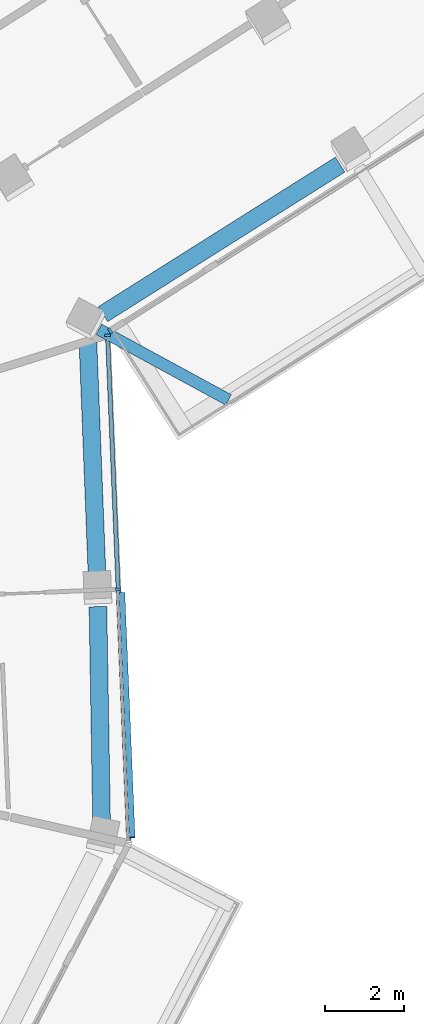
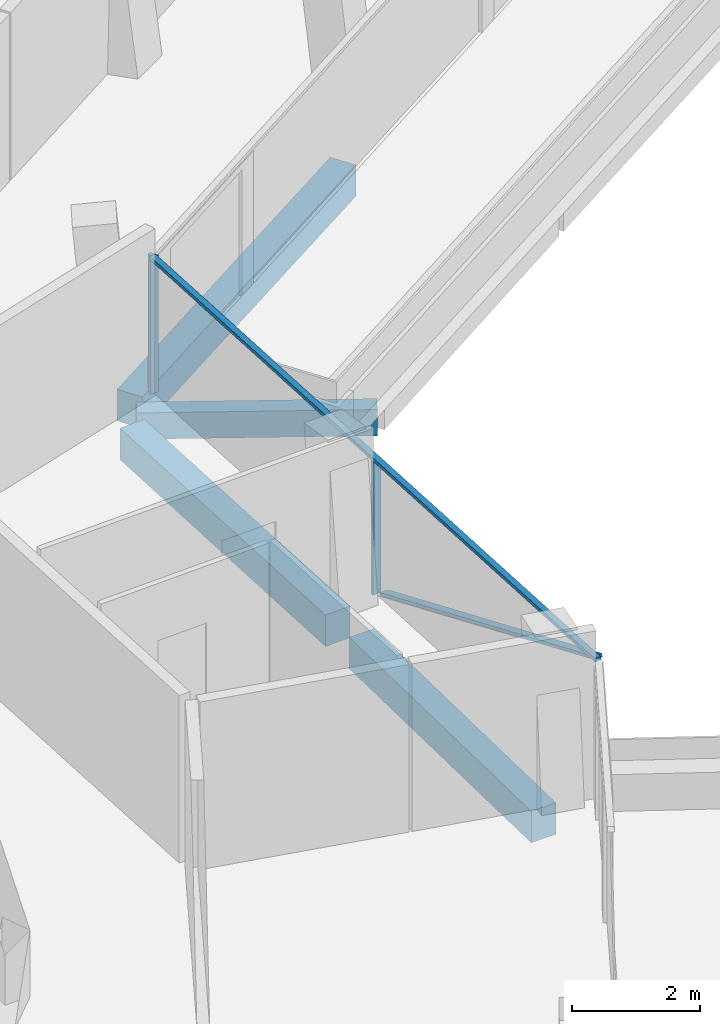
# One storey, part 7 of 23: 5 members, 4 beams, 2 elements without a shape of their own.
"""IFC4 building model written with IfcOpenShell, lengths in metres."""

from ifc_helpers import new_model, si_unit, direction, frame, origin, origin_2d, place, context, subcontext, project, spatial, rectangle, extrude, material, layer, layer_set, material_profile, profile_set, type_object, element, aggregate, save


model = new_model("IFC4")

# Units and contexts
model_context = context("Model", 3, precision=1e-05, world=origin(), true_north=direction((0.0, 1.0)))
body_context = subcontext(model_context, "Body", "Model", "MODEL_VIEW")
ifc_project = project(units=[si_unit("LENGTHUNIT", "METRE"), si_unit("AREAUNIT", "SQUARE_METRE"), si_unit("VOLUMEUNIT", "CUBIC_METRE"), si_unit("PLANEANGLEUNIT", "RADIAN"), si_unit("MASSUNIT", "GRAM", prefix="KILO")], contexts=[model_context])

# Site, building, storey
site_placement = place(None, origin())
site = spatial("IfcSite", under=ifc_project, at=site_placement, CompositionType="ELEMENT")
building_placement = place(site_placement, origin())
building = spatial("IfcBuilding", under=site, at=building_placement, Name="Verdalira Terraces Hotel", CompositionType="ELEMENT")
storey_placement = place(building_placement, frame((0.0, 0.0, 288.0)))
storey = spatial("IfcBuildingStorey", under=building, at=storey_placement, Name="L71", CompositionType="ELEMENT", Elevation=288.0)

# Beam
ifc_material_1 = material(Name="Concrete C40", Category="concrete")
ifc_material_profile_1 = material_profile(ifc_material_1, rectangle(XDim=0.300049, YDim=0.5, at=origin_2d()), Name="RC 300X500")
ifc_profile_set_1 = profile_set([ifc_material_profile_1], Name="Concrete C40")
beam_type_1 = type_object("IfcBeamType", Name="Balcony cantilever beam RC 300X500 C40", PredefinedType="BEAM", material=ifc_profile_set_1)
beam_1_placement = place(storey_placement, frame((23.669678, 7.628906, -0.560059), z_axis=(0.878337393, -0.478041237, 0.0), x_axis=(0.478041237, 0.878337393, 0.0)))
element("IfcBeam", 1, at=beam_1_placement, inside=storey, type_object=beam_type_1, Name="Balcony cantilever beam R28-1", PredefinedType="BEAM", context=body_context, shape_type="SweptSolid", body=[
    extrude(rectangle(XDim=0.300049, YDim=0.5, at=origin_2d()), origin(), (0.0, 0.0, 1.0), 3.755859),
])

# Curtain wall, members
ifc_material_2 = material(Name="Clear glass", Category="glass")
ifc_layer_1 = layer(ifc_material_2, 0.14990234375)
ifc_layer_set_1 = layer_set([ifc_layer_1], Name="CW1 curtain wall")
curtain_wall_type_1 = type_object("IfcCurtainWallType", Name="CW1 curtain wall", PredefinedType="NOTDEFINED", material=ifc_layer_set_1)
curtain_wall_1_placement = place(storey_placement, origin())
curtain_wall_1 = element("IfcCurtainWall", 2, at=curtain_wall_1_placement, inside=storey, type_object=curtain_wall_type_1, Name="CW1 curtain wall L71 edge 27", PredefinedType="NOTDEFINED")
ifc_material_3 = material(Name="Terracotta frame", Category="masonry")
ifc_material_profile_2 = material_profile(ifc_material_3, rectangle(XDim=0.060059, YDim=0.149902, at=origin_2d()), Name="MU 60x150")
ifc_profile_set_2 = profile_set([ifc_material_profile_2], Name="Terracotta frame")
member_type_1 = type_object("IfcMemberType", Name="CW1 mullion 60x150", PredefinedType="MULLION", material=ifc_profile_set_2)
member_1_placement = place(storey_placement, frame((24.162109, 1.012695, 0.0), z_axis=(0.0, 0.0, 1.0), x_axis=(-0.041875654, 0.99912283, 0.0)))
member_1 = element("IfcMember", 3, at=member_1_placement, type_object=member_type_1, Name="CW1 mullion", PredefinedType="MULLION", context=body_context, shape_type="SweptSolid", body=[
    extrude(rectangle(XDim=0.060059, YDim=0.149902, at=origin_2d()), origin(), (0.0, 0.0, 1.0), 2.524902),
])
member_2_placement = place(storey_placement, frame((23.891113, 7.477051, 0.0), z_axis=(0.0, 0.0, 1.0), x_axis=(-0.041875654, 0.99912283, 0.0)))
member_2 = element("IfcMember", 4, at=member_2_placement, type_object=member_type_1, Name="CW1 mullion", PredefinedType="MULLION", context=body_context, shape_type="SweptSolid", body=[
    extrude(rectangle(XDim=0.060059, YDim=0.149902, at=origin_2d()), origin(), (0.0, 0.0, 1.0), 2.524902),
])
ifc_material_4 = material(Name="Terracotta frame", Category="masonry")
ifc_material_profile_3 = material_profile(ifc_material_4, rectangle(XDim=0.110107, YDim=0.064941, at=origin_2d()), Name="TR 65x110")
ifc_profile_set_3 = profile_set([ifc_material_profile_3], Name="Terracotta frame")
member_type_2 = type_object("IfcMemberType", Name="CW1 transom 65x110", PredefinedType="USERDEFINED", material=ifc_profile_set_3)
member_3_placement = place(storey_placement, frame((24.432617, -5.441406, 2.557617), z_axis=(-0.041877367, 0.999122758, 0.0), x_axis=(-0.999122758, -0.041877367, 0.0)))
member_3 = element("IfcMember", 5, at=member_3_placement, type_object=member_type_2, Name="CW1 transom", ObjectType="TRANSOM", PredefinedType="USERDEFINED", context=body_context, shape_type="SweptSolid", body=[
    extrude(rectangle(XDim=0.110107, YDim=0.064941, at=origin_2d()), origin(), (0.0, 0.0, 1.0), 12.959961),
])

# Curtain wall, member
ifc_material_5 = material(Name="Clear glass", Category="glass")
ifc_layer_2 = layer(ifc_material_5, 0.14990234375)
ifc_layer_set_2 = layer_set([ifc_layer_2], Name="CW2 curtain wall")
curtain_wall_type_2 = type_object("IfcCurtainWallType", Name="CW2 curtain wall", PredefinedType="NOTDEFINED", material=ifc_layer_set_2)
curtain_wall_2_placement = place(storey_placement, origin())
curtain_wall_2 = element("IfcCurtainWall", 6, at=curtain_wall_2_placement, inside=storey, type_object=curtain_wall_type_2, Name="CW2 curtain wall L71 edge 28", PredefinedType="NOTDEFINED")
ifc_material_6 = material(Name="Terracotta frame", Category="masonry")
ifc_material_profile_4 = material_profile(ifc_material_6, rectangle(XDim=0.070068, YDim=0.149902, at=origin_2d()), Name="MU 70x150")
ifc_profile_set_4 = profile_set([ifc_material_profile_4], Name="Terracotta frame")
member_type_3 = type_object("IfcMemberType", Name="CW2 mullion 70x150", PredefinedType="MULLION", material=ifc_profile_set_4)
member_4_placement = place(storey_placement, frame((23.954346, 7.592285, 0.0), z_axis=(0.0, 0.0, 1.0), x_axis=(0.844327926, 0.535826795, 0.0)))
member_4 = element("IfcMember", 7, at=member_4_placement, type_object=member_type_3, Name="CW2 mullion", PredefinedType="MULLION", context=body_context, shape_type="SweptSolid", body=[
    extrude(rectangle(XDim=0.070068, YDim=0.149902, at=origin_2d()), origin(), (0.0, 0.0, 1.0), 2.524902),
])
aggregate(curtain_wall_2, [member_4])

# Member
ifc_material_7 = material(Name="Terracotta frame", Category="masonry")
ifc_material_profile_5 = material_profile(ifc_material_7, rectangle(XDim=0.149902, YDim=0.060059, at=origin_2d()), Name="GB 60x150")
ifc_profile_set_5 = profile_set([ifc_material_profile_5], Name="Terracotta frame")
member_type_4 = type_object("IfcMemberType", Name="Diagonal glazing bar 60x150", PredefinedType="USERDEFINED", material=ifc_profile_set_5)
member_5_placement = place(storey_placement, frame((24.516113, -5.305664, 2.496338), z_axis=(-0.038935862, 0.928809893, -0.368505334), x_axis=(-0.999122506, -0.041883379, 0.0)))
member_5 = element("IfcMember", 8, at=member_5_placement, type_object=member_type_4, Name="Diagonal glazing bar", ObjectType="GLAZING BAR", PredefinedType="USERDEFINED", context=body_context, shape_type="SweptSolid", body=[
    extrude(rectangle(XDim=0.149902, YDim=0.060059, at=origin_2d()), origin(), (0.0, 0.0, 1.0), 6.696777),
])

aggregate(curtain_wall_1, [member_1, member_2, member_3, member_5])

# Beams
ifc_material_8 = material(Name="Concrete C40", Category="concrete")
ifc_material_profile_6 = material_profile(ifc_material_8, rectangle(XDim=0.449951, YDim=0.600098, at=origin_2d()), Name="RC 450X600")
ifc_profile_set_6 = profile_set([ifc_material_profile_6], Name="Concrete C40")
beam_type_2 = type_object("IfcBeamType", Name="Spandrel beam RC 450X600 C40", PredefinedType="SPANDREL", material=ifc_profile_set_6)
beam_2_placement = place(storey_placement, frame((23.738281, -4.954102, -0.610107), z_axis=(-0.016751252, 0.999859688, 0.0), x_axis=(-0.999859688, -0.016751252, 0.0)))
element("IfcBeam", 9, at=beam_2_placement, inside=storey, type_object=beam_type_2, Name="Spandrel beam B17", PredefinedType="SPANDREL", context=body_context, shape_type="SweptSolid", body=[
    extrude(rectangle(XDim=0.449951, YDim=0.600098, at=origin_2d()), origin(), (0.0, 0.0, 1.0), 5.523682),
])
beam_3_placement = place(storey_placement, frame((23.626221, 1.276123, -0.610107), z_axis=(-0.038986797, 0.999239726, 0.0), x_axis=(-0.999239726, -0.038986797, 0.0)))
element("IfcBeam", 10, at=beam_3_placement, inside=storey, type_object=beam_type_2, Name="Spandrel beam B18", PredefinedType="SPANDREL", context=body_context, shape_type="SweptSolid", body=[
    extrude(rectangle(XDim=0.449951, YDim=0.600098, at=origin_2d()), origin(), (0.0, 0.0, 1.0), 6.011719),
])
beam_4_placement = place(storey_placement, frame((23.775879, 8.016846, -0.610107), z_axis=(0.845882985, 0.533368517, 0.0), x_axis=(-0.533368517, 0.845882985, 0.0)))
element("IfcBeam", 11, at=beam_4_placement, inside=storey, type_object=beam_type_2, Name="Spandrel beam B19", PredefinedType="SPANDREL", context=body_context, shape_type="SweptSolid", body=[
    extrude(rectangle(XDim=0.449951, YDim=0.600098, at=origin_2d()), origin(), (0.0, 0.0, 1.0), 7.135498),
])

save(model, "model.ifc")
